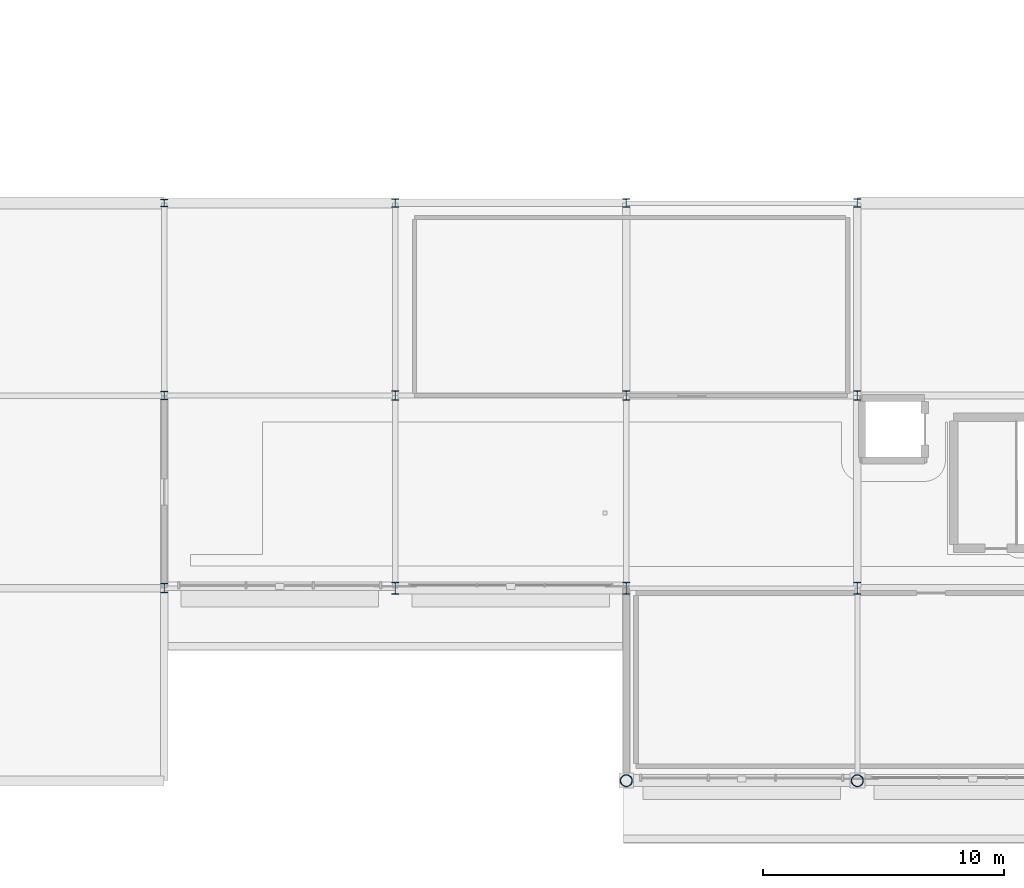
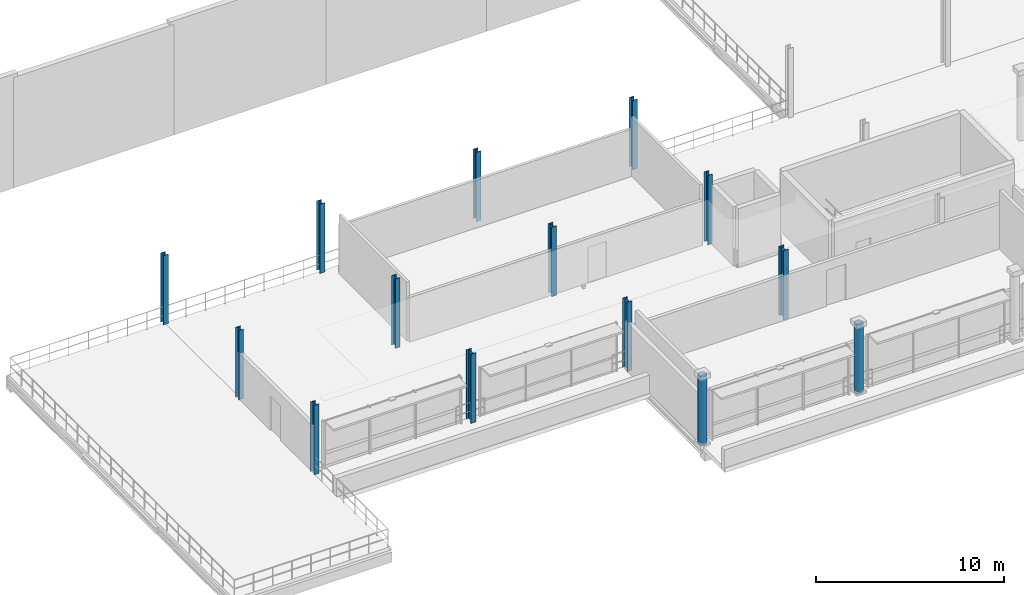
# One storey, part 9 of 59: 14 columns.
"""IFC4 building model written with IfcOpenShell, lengths in metres."""

import ifcopenshell
import ifcopenshell.guid

model = None  # the IFC model being written
_history = None  # IfcOwnerHistory: only IFC2X3 demands one
_inside = {}  # id of a spatial element -> (the spatial element, [elements in it])
_under = {}  # id of a project, library or spatial element -> (it, [spatial elements below it])
_declared = {}  # id of a project -> (the project, [libraries it declares])
_typed = {}  # id of a type object -> (the type object, [elements of that type])
_made_of = {}  # id of a material, layer set ... -> (it, [elements and type objects made of it])


def new_model(schema):
    """Start an empty IFC model of exactly this schema.

    Asked for "IFC4X3", IfcOpenShell would pick the latest addendum, in which some entities
    have other attributes; the version numbers below select the first issue.
    IFC2X3 requires an IfcOwnerHistory on every rooted entity: one is made here for all.
    """
    global model, _history
    if schema == "IFC4X3":
        model = ifcopenshell.file(schema_version=(4, 3, 0, 0))
    else:
        model = ifcopenshell.file(schema=schema)
    _inside.clear()
    _under.clear()
    _declared.clear()
    _typed.clear()
    _made_of.clear()
    _history = None
    if model.schema == "IFC2X3":
        org = make("IfcOrganization", Name="unknown")
        user = make(
            "IfcPersonAndOrganization",
            ThePerson=make("IfcPerson", FamilyName="unknown"),
            TheOrganization=org,
        )
        app = make(
            "IfcApplication",
            ApplicationDeveloper=org,
            Version="unknown",
            ApplicationFullName="unknown",
            ApplicationIdentifier="unknown",
        )
        _history = make(
            "IfcOwnerHistory",
            OwningUser=user,
            OwningApplication=app,
            ChangeAction="ADDED",
            CreationDate=0,
        )
    return model


def make(cls, **values):
    """One entity of the class cls with the attributes given. An attribute that is None is left unset."""
    return model.create_entity(
        cls, **{name: value for name, value in values.items() if value is not None}
    )


def rooted(cls, **values):
    """An entity with a GlobalId (a new one), such as an element, a storey or a relation."""
    return make(cls, GlobalId=ifcopenshell.guid.new(), OwnerHistory=_history, **values)


def si_unit(unit_type, name, prefix=None):
    """IfcSIUnit, for example si_unit("LENGTHUNIT", "METRE", prefix="MILLI")."""
    return make("IfcSIUnit", UnitType=unit_type, Prefix=prefix, Name=name)


def assignment(units):
    """IfcUnitAssignment: the units of a project."""
    return None if units is None else make("IfcUnitAssignment", Units=units)


def point(xyz):
    """IfcCartesianPoint."""
    return None if xyz is None else make("IfcCartesianPoint", Coordinates=xyz)


def direction(xyz):
    """IfcDirection."""
    return None if xyz is None else make("IfcDirection", DirectionRatios=xyz)


def frame(location, z_axis=None, x_axis=None):
    """IfcAxis2Placement3D, a coordinate frame: its origin and axes. An axis left out is left unset."""
    return make(
        "IfcAxis2Placement3D",
        Location=point(location),
        Axis=direction(z_axis),
        RefDirection=direction(x_axis),
    )


def frame_2d(location, x_axis=None):
    """IfcAxis2Placement2D, a coordinate frame in the plane: its origin and x axis."""
    return make(
        "IfcAxis2Placement2D", Location=point(location), RefDirection=direction(x_axis)
    )


def origin():
    """The frame at (0, 0, 0) with its axes left unset."""
    return frame((0.0, 0.0, 0.0))


def origin_2d():
    """The frame at (0, 0) in the plane with its x axis left unset."""
    return frame_2d((0.0, 0.0))


def place(relative_to, where):
    """IfcLocalPlacement: puts the frame where relative to a parent placement (None: the world)."""
    return make(
        "IfcLocalPlacement", PlacementRelTo=relative_to, RelativePlacement=where
    )


def context(
    kind, dimensions, precision=None, world=None, true_north=None, identifier=None
):
    """IfcGeometricRepresentationContext, for example the 3D "Model" context."""
    return make(
        "IfcGeometricRepresentationContext",
        ContextIdentifier=identifier,
        ContextType=kind,
        CoordinateSpaceDimension=dimensions,
        Precision=precision,
        WorldCoordinateSystem=world,
        TrueNorth=true_north,
    )


def subcontext(parent, identifier, kind, view, scale=None):
    """IfcGeometricRepresentationSubContext, for example "Body" below "Model"."""
    return make(
        "IfcGeometricRepresentationSubContext",
        ContextIdentifier=identifier,
        ContextType=kind,
        ParentContext=parent,
        TargetScale=scale,
        TargetView=view,
    )


def project(units=None, contexts=None):
    """IfcProject with its units and contexts."""
    return rooted(
        "IfcProject",
        Name="project",
        RepresentationContexts=contexts,
        UnitsInContext=assignment(units),
    )


def spatial(cls, under=None, at=None, **own):
    """A site, building, storey or space (cls), placed at a placement, below another one or the project."""
    s = rooted(cls, ObjectPlacement=at, **own)
    if under is not None:
        _under.setdefault(under.id(), (under, []))[1].append(s)
    return s


def profile(cls, at=None, kind="AREA", **sizes):
    """A parametric profile (cls). Its sizes go by their IFC names, for example OverallWidth=200.0."""
    return make(cls, ProfileType=kind, Position=at, **sizes)


def hollow_circle(**sizes):
    """IfcCircleHollowProfileDef."""
    return profile("IfcCircleHollowProfileDef", **sizes)


def i_section(**sizes):
    """IfcIShapeProfileDef."""
    return profile("IfcIShapeProfileDef", **sizes)


def extrude(swept, where, along, depth):
    """IfcExtrudedAreaSolid: the profile swept, set in the frame where, extruded along a direction by depth."""
    return make(
        "IfcExtrudedAreaSolid",
        SweptArea=swept,
        Position=where,
        ExtrudedDirection=direction(along),
        Depth=depth,
    )


def shape(context_of_items, identifier, shape_type, items):
    """IfcShapeRepresentation: the items that make up one representation, for example the "Body"."""
    return make(
        "IfcShapeRepresentation",
        ContextOfItems=context_of_items,
        RepresentationIdentifier=identifier,
        RepresentationType=shape_type,
        Items=items,
    )


def material(Name=None, Category=None):
    """IfcMaterial."""
    return make("IfcMaterial", Name=Name, Category=Category)


def material_profile(
    of_material, cross_section, Name=None, Category=None, Priority=None
):
    """IfcMaterialProfile: a cross section and its material."""
    return make(
        "IfcMaterialProfile",
        Name=Name,
        Material=of_material,
        Profile=cross_section,
        Priority=Priority,
        Category=Category,
    )


def profile_set(profiles, Name=None, composite=None):
    """IfcMaterialProfileSet."""
    return make(
        "IfcMaterialProfileSet",
        Name=Name,
        MaterialProfiles=profiles,
        CompositeProfile=composite,
    )


def made_of(thing, what):
    """Note that an element or type object is made of a material, layer set ...; save() writes the relation."""
    if what is not None:
        _made_of.setdefault(what.id(), (what, []))[1].append(thing)
    return thing


def type_object(cls, material=None, **own):
    """A type object (cls), such as IfcWallType, which elements share."""
    return made_of(rooted(cls, **own), material)


def element(
    cls,
    number,
    at=None,
    inside=None,
    cuts=None,
    type_object=None,
    material=None,
    context=None,
    identifier="Body",
    shape_type=None,
    held_by="IfcProductDefinitionShape",
    body=None,
    shapes=None,
    **own,
):
    """One element of the class cls, such as IfcWall. Its Tag is "e" and its number.

    at: its placement. inside: the storey or other place that contains it. cuts: it is an
    opening in that element (IfcRelVoidsElement). A single representation is given by context,
    identifier, shape_type and body (its items); several are given by shapes. held_by: the class
    of the entity that holds the representations. save() writes the other relations.
    """
    e = rooted(cls, Tag="e%d" % number, ObjectPlacement=at, **own)
    if body is not None:
        shapes = [shape(context, identifier, shape_type, body)]
    if shapes is not None:
        e.Representation = make(held_by, Representations=shapes)
    if inside is not None:
        _inside.setdefault(inside.id(), (inside, []))[1].append(e)
    if cuts is not None:
        rooted(
            "IfcRelVoidsElement", RelatingBuildingElement=cuts, RelatedOpeningElement=e
        )
    if type_object is not None:
        _typed.setdefault(type_object.id(), (type_object, []))[1].append(e)
    return made_of(e, material)


def aggregate(whole, parts):
    """IfcRelAggregates: a whole, such as a stair, and the parts it consists of."""
    return rooted("IfcRelAggregates", RelatingObject=whole, RelatedObjects=parts)


def save(model, path):
    """Write the relations noted so far, then the file.

    IfcRelAggregates (storeys below a building ...), IfcRelContainedInSpatialStructure (elements
    in a storey), IfcRelDefinesByType, IfcRelAssociatesMaterial and IfcRelDeclares: one each for
    every whole, place, type object, material and project.
    """
    for whole, parts in _under.values():
        aggregate(whole, parts)
    for where, things in _inside.values():
        rooted(
            "IfcRelContainedInSpatialStructure",
            RelatedElements=things,
            RelatingStructure=where,
        )
    for kind, things in _typed.values():
        rooted("IfcRelDefinesByType", RelatedObjects=things, RelatingType=kind)
    for what, things in _made_of.values():
        rooted("IfcRelAssociatesMaterial", RelatedObjects=things, RelatingMaterial=what)
    for by, libraries in _declared.values():
        rooted("IfcRelDeclares", RelatingContext=by, RelatedDefinitions=libraries)
    model.write(path)


model = new_model("IFC4")

# Units and contexts
model_context = context("Model", 3, precision=1e-05, world=origin(), true_north=direction((0.0, 1.0)))
body_context = subcontext(model_context, "Body", "Model", "MODEL_VIEW")
ifc_project = project(units=[si_unit("LENGTHUNIT", "METRE"), si_unit("AREAUNIT", "SQUARE_METRE"), si_unit("VOLUMEUNIT", "CUBIC_METRE"), si_unit("PLANEANGLEUNIT", "RADIAN"), si_unit("MASSUNIT", "GRAM", prefix="KILO")], contexts=[model_context])

# Site, building, storey
site_placement = place(None, origin())
site = spatial("IfcSite", under=ifc_project, at=site_placement, CompositionType="ELEMENT")
building_placement = place(site_placement, origin())
building = spatial("IfcBuilding", under=site, at=building_placement, Name="Danafjord Basin Convention Centre", CompositionType="ELEMENT")
storey_placement = place(building_placement, frame((0.0, 0.0, 15.89990234375)))
storey = spatial("IfcBuildingStorey", under=building, at=storey_placement, Name="L03", CompositionType="ELEMENT", Elevation=15.89990234375)

# Columns
ifc_material = material(Name="Steel S355", Category="steel")
ifc_material_profile_1 = material_profile(ifc_material, hollow_circle(Radius=0.25390625, WallThickness=0.02490234375, at=origin_2d()), Name="CHS 508.0x25.0")
ifc_profile_set_1 = profile_set([ifc_material_profile_1], Name="Steel S355")
column_type_1 = type_object("IfcColumnType", Name="COL-C-CHS508", PredefinedType="COLUMN", material=ifc_profile_set_1)
for number, where, z_axis, x_axis, name in (
    (1, (172.800048828125, 0.0, 0.0), (0.0, 0.0, 1.0), (1.0, 0.0, 0.0), "L03 column C-CHS508 at (172.8, 0.0)"),
    (2, (182.39990234375, 0.0, 0.0), (0.0, 0.0, 1.0), (1.0, 0.0, 0.0), "L03 column C-CHS508 at (182.4, 0.0)"),
):
    element("IfcColumn", number, at=place(storey_placement, frame(where, z_axis=z_axis, x_axis=x_axis)), inside=storey, type_object=column_type_1, Name=name, PredefinedType="COLUMN", context=body_context, shape_type="SweptSolid", body=[
        extrude(hollow_circle(Radius=0.25390625, WallThickness=0.02490234375, at=origin_2d()), origin(), (0.0, 0.0, 1.0), 4.5),
    ])
ifc_material_profile_2 = material_profile(ifc_material, i_section(OverallWidth=0.300048828125, OverallDepth=0.300048828125, WebThickness=0.010986328125, FlangeThickness=0.01904296875, FilletRadius=0.027099609375, at=origin_2d()), Name="HEB 300")
ifc_profile_set_2 = profile_set([ifc_material_profile_2], Name="Steel S355")
column_type_2 = type_object("IfcColumnType", Name="COL-C-HEB300", PredefinedType="COLUMN", material=ifc_profile_set_2)
column_placement = place(storey_placement, frame((153.60009765625, 24.0, 0.0), z_axis=(0.0, 0.0, 1.0), x_axis=(1.0, 0.0, 0.0)))
element("IfcColumn", 3, at=column_placement, inside=storey, type_object=column_type_2, Name="L03 column C-HEB300 at (153.6, 24.0)", PredefinedType="COLUMN", context=body_context, shape_type="SweptSolid", body=[
    extrude(i_section(OverallWidth=0.300048828125, OverallDepth=0.300048828125, WebThickness=0.010986328125, FlangeThickness=0.01904296875, FilletRadius=0.027099609375, at=origin_2d()), origin(), (0.0, 0.0, 1.0), 4.5),
])
ifc_material_profile_3 = material_profile(ifc_material, i_section(OverallWidth=0.300048828125, OverallDepth=0.360107421875, WebThickness=0.012451171875, FlangeThickness=0.0224609375, FilletRadius=0.027099609375, at=origin_2d()), Name="HEB 360")
ifc_profile_set_3 = profile_set([ifc_material_profile_3], Name="Steel S355")
column_type_3 = type_object("IfcColumnType", Name="COL-C-HEB360", PredefinedType="COLUMN", material=ifc_profile_set_3)
for number, where, z_axis, x_axis, name in (
    (4, (153.60009765625, 16.0, 0.0), (0.0, 0.0, 1.0), (1.0, 0.0, 0.0), "L03 column C-HEB360 at (153.6, 16.0)"),
    (5, (163.199951171875, 24.0, 0.0), (0.0, 0.0, 1.0), (1.0, 0.0, 0.0), "L03 column C-HEB360 at (163.2, 24.0)"),
    (6, (172.800048828125, 24.0, 0.0), (0.0, 0.0, 1.0), (1.0, 0.0, 0.0), "L03 column C-HEB360 at (172.8, 24.0)"),
    (7, (182.39990234375, 24.0, 0.0), (0.0, 0.0, 1.0), (1.0, 0.0, 0.0), "L03 column C-HEB360 at (182.4, 24.0)"),
):
    element("IfcColumn", number, at=place(storey_placement, frame(where, z_axis=z_axis, x_axis=x_axis)), inside=storey, type_object=column_type_3, Name=name, PredefinedType="COLUMN", context=body_context, shape_type="SweptSolid", body=[
        extrude(i_section(OverallWidth=0.300048828125, OverallDepth=0.360107421875, WebThickness=0.012451171875, FlangeThickness=0.0224609375, FilletRadius=0.027099609375, at=origin_2d()), origin(), (0.0, 0.0, 1.0), 4.5),
    ])
ifc_material_profile_4 = material_profile(ifc_material, i_section(OverallWidth=0.300048828125, OverallDepth=0.39990234375, WebThickness=0.013427734375, FlangeThickness=0.02392578125, FilletRadius=0.027099609375, at=origin_2d()), Name="HEB 400")
ifc_profile_set_4 = profile_set([ifc_material_profile_4], Name="Steel S355")
column_type_4 = type_object("IfcColumnType", Name="COL-C-HEB400", PredefinedType="COLUMN", material=ifc_profile_set_4)
for number, where, z_axis, x_axis, name in (
    (8, (153.60009765625, 8.0, 0.0), (0.0, 0.0, 1.0), (1.0, 0.0, 0.0), "L03 column C-HEB400 at (153.6, 8.0)"),
    (9, (163.199951171875, 16.0, 0.0), (0.0, 0.0, 1.0), (1.0, 0.0, 0.0), "L03 column C-HEB400 at (163.2, 16.0)"),
    (10, (172.800048828125, 16.0, 0.0), (0.0, 0.0, 1.0), (1.0, 0.0, 0.0), "L03 column C-HEB400 at (172.8, 16.0)"),
    (11, (182.39990234375, 16.0, 0.0), (0.0, 0.0, 1.0), (1.0, 0.0, 0.0), "L03 column C-HEB400 at (182.4, 16.0)"),
):
    element("IfcColumn", number, at=place(storey_placement, frame(where, z_axis=z_axis, x_axis=x_axis)), inside=storey, type_object=column_type_4, Name=name, PredefinedType="COLUMN", context=body_context, shape_type="SweptSolid", body=[
        extrude(i_section(OverallWidth=0.300048828125, OverallDepth=0.39990234375, WebThickness=0.013427734375, FlangeThickness=0.02392578125, FilletRadius=0.027099609375, at=origin_2d()), origin(), (0.0, 0.0, 1.0), 4.5),
    ])
ifc_material_profile_5 = material_profile(ifc_material, i_section(OverallWidth=0.300048828125, OverallDepth=0.5, WebThickness=0.014404296875, FlangeThickness=0.028076171875, FilletRadius=0.027099609375, at=origin_2d()), Name="HEB 500")
ifc_profile_set_5 = profile_set([ifc_material_profile_5], Name="Steel S355")
column_type_5 = type_object("IfcColumnType", Name="COL-C-HEB500", PredefinedType="COLUMN", material=ifc_profile_set_5)
for number, where, z_axis, x_axis, name in (
    (12, (163.199951171875, 8.0, 0.0), (0.0, 0.0, 1.0), (1.0, 0.0, 0.0), "L03 column C-HEB500 at (163.2, 8.0)"),
    (13, (172.800048828125, 8.0, 0.0), (0.0, 0.0, 1.0), (1.0, 0.0, 0.0), "L03 column C-HEB500 at (172.8, 8.0)"),
    (14, (182.39990234375, 8.0, 0.0), (0.0, 0.0, 1.0), (1.0, 0.0, 0.0), "L03 column C-HEB500 at (182.4, 8.0)"),
):
    element("IfcColumn", number, at=place(storey_placement, frame(where, z_axis=z_axis, x_axis=x_axis)), inside=storey, type_object=column_type_5, Name=name, PredefinedType="COLUMN", context=body_context, shape_type="SweptSolid", body=[
        extrude(i_section(OverallWidth=0.300048828125, OverallDepth=0.5, WebThickness=0.014404296875, FlangeThickness=0.028076171875, FilletRadius=0.027099609375, at=origin_2d()), origin(), (0.0, 0.0, 1.0), 4.5),
    ])

save(model, "model.ifc")
